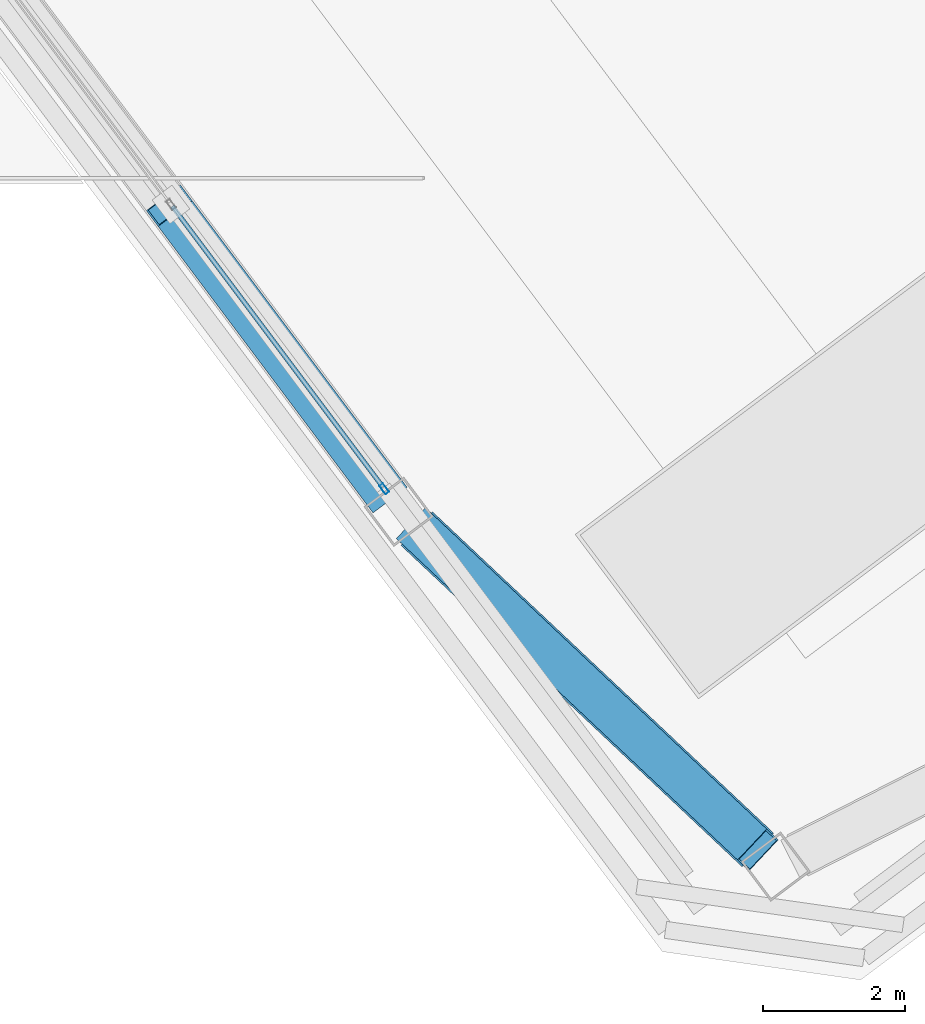
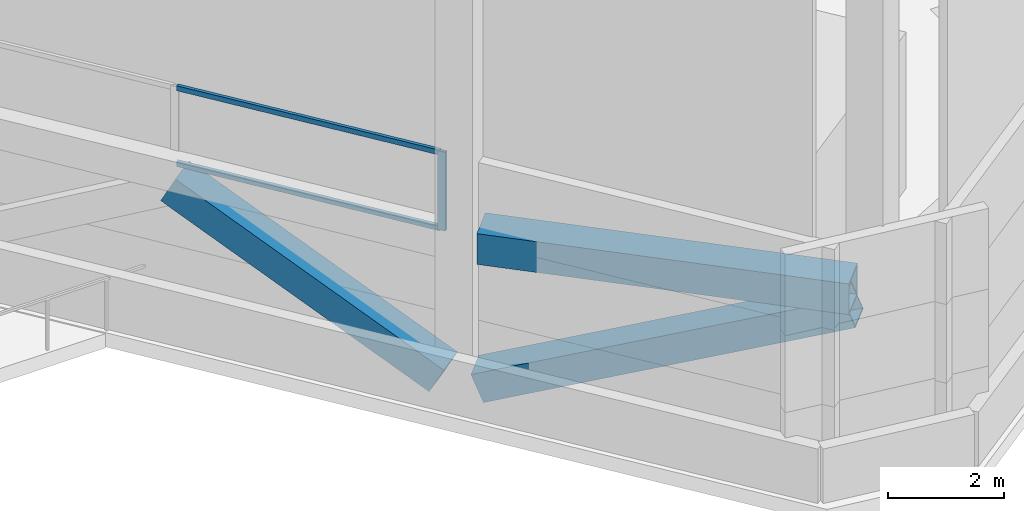
# One storey, part 16 of 37: 5 members, 1 beam, 1 element without a shape of its own.
"""IFC4 building model written with IfcOpenShell, lengths in metres."""

import ifcopenshell
import ifcopenshell.guid

model = None  # the IFC model being written
_history = None  # IfcOwnerHistory: only IFC2X3 demands one
_inside = {}  # id of a spatial element -> (the spatial element, [elements in it])
_under = {}  # id of a project, library or spatial element -> (it, [spatial elements below it])
_declared = {}  # id of a project -> (the project, [libraries it declares])
_typed = {}  # id of a type object -> (the type object, [elements of that type])
_made_of = {}  # id of a material, layer set ... -> (it, [elements and type objects made of it])


def new_model(schema):
    """Start an empty IFC model of exactly this schema.

    Asked for "IFC4X3", IfcOpenShell would pick the latest addendum, in which some entities
    have other attributes; the version numbers below select the first issue.
    IFC2X3 requires an IfcOwnerHistory on every rooted entity: one is made here for all.
    """
    global model, _history
    if schema == "IFC4X3":
        model = ifcopenshell.file(schema_version=(4, 3, 0, 0))
    else:
        model = ifcopenshell.file(schema=schema)
    _inside.clear()
    _under.clear()
    _declared.clear()
    _typed.clear()
    _made_of.clear()
    _history = None
    if model.schema == "IFC2X3":
        org = make("IfcOrganization", Name="unknown")
        user = make(
            "IfcPersonAndOrganization",
            ThePerson=make("IfcPerson", FamilyName="unknown"),
            TheOrganization=org,
        )
        app = make(
            "IfcApplication",
            ApplicationDeveloper=org,
            Version="unknown",
            ApplicationFullName="unknown",
            ApplicationIdentifier="unknown",
        )
        _history = make(
            "IfcOwnerHistory",
            OwningUser=user,
            OwningApplication=app,
            ChangeAction="ADDED",
            CreationDate=0,
        )
    return model


def make(cls, **values):
    """One entity of the class cls with the attributes given. An attribute that is None is left unset."""
    return model.create_entity(
        cls, **{name: value for name, value in values.items() if value is not None}
    )


def rooted(cls, **values):
    """An entity with a GlobalId (a new one), such as an element, a storey or a relation."""
    return make(cls, GlobalId=ifcopenshell.guid.new(), OwnerHistory=_history, **values)


def si_unit(unit_type, name, prefix=None):
    """IfcSIUnit, for example si_unit("LENGTHUNIT", "METRE", prefix="MILLI")."""
    return make("IfcSIUnit", UnitType=unit_type, Prefix=prefix, Name=name)


def assignment(units):
    """IfcUnitAssignment: the units of a project."""
    return None if units is None else make("IfcUnitAssignment", Units=units)


def point(xyz):
    """IfcCartesianPoint."""
    return None if xyz is None else make("IfcCartesianPoint", Coordinates=xyz)


def direction(xyz):
    """IfcDirection."""
    return None if xyz is None else make("IfcDirection", DirectionRatios=xyz)


def frame(location, z_axis=None, x_axis=None):
    """IfcAxis2Placement3D, a coordinate frame: its origin and axes. An axis left out is left unset."""
    return make(
        "IfcAxis2Placement3D",
        Location=point(location),
        Axis=direction(z_axis),
        RefDirection=direction(x_axis),
    )


def frame_2d(location, x_axis=None):
    """IfcAxis2Placement2D, a coordinate frame in the plane: its origin and x axis."""
    return make(
        "IfcAxis2Placement2D", Location=point(location), RefDirection=direction(x_axis)
    )


def origin():
    """The frame at (0, 0, 0) with its axes left unset."""
    return frame((0.0, 0.0, 0.0))


def origin_2d():
    """The frame at (0, 0) in the plane with its x axis left unset."""
    return frame_2d((0.0, 0.0))


def place(relative_to, where):
    """IfcLocalPlacement: puts the frame where relative to a parent placement (None: the world)."""
    return make(
        "IfcLocalPlacement", PlacementRelTo=relative_to, RelativePlacement=where
    )


def context(
    kind, dimensions, precision=None, world=None, true_north=None, identifier=None
):
    """IfcGeometricRepresentationContext, for example the 3D "Model" context."""
    return make(
        "IfcGeometricRepresentationContext",
        ContextIdentifier=identifier,
        ContextType=kind,
        CoordinateSpaceDimension=dimensions,
        Precision=precision,
        WorldCoordinateSystem=world,
        TrueNorth=true_north,
    )


def subcontext(parent, identifier, kind, view, scale=None):
    """IfcGeometricRepresentationSubContext, for example "Body" below "Model"."""
    return make(
        "IfcGeometricRepresentationSubContext",
        ContextIdentifier=identifier,
        ContextType=kind,
        ParentContext=parent,
        TargetScale=scale,
        TargetView=view,
    )


def project(units=None, contexts=None):
    """IfcProject with its units and contexts."""
    return rooted(
        "IfcProject",
        Name="project",
        RepresentationContexts=contexts,
        UnitsInContext=assignment(units),
    )


def spatial(cls, under=None, at=None, **own):
    """A site, building, storey or space (cls), placed at a placement, below another one or the project."""
    s = rooted(cls, ObjectPlacement=at, **own)
    if under is not None:
        _under.setdefault(under.id(), (under, []))[1].append(s)
    return s


def profile(cls, at=None, kind="AREA", **sizes):
    """A parametric profile (cls). Its sizes go by their IFC names, for example OverallWidth=200.0."""
    return make(cls, ProfileType=kind, Position=at, **sizes)


def hollow_rectangle(**sizes):
    """IfcRectangleHollowProfileDef."""
    return profile("IfcRectangleHollowProfileDef", **sizes)


def extrude(swept, where, along, depth):
    """IfcExtrudedAreaSolid: the profile swept, set in the frame where, extruded along a direction by depth."""
    return make(
        "IfcExtrudedAreaSolid",
        SweptArea=swept,
        Position=where,
        ExtrudedDirection=direction(along),
        Depth=depth,
    )


def shape(context_of_items, identifier, shape_type, items):
    """IfcShapeRepresentation: the items that make up one representation, for example the "Body"."""
    return make(
        "IfcShapeRepresentation",
        ContextOfItems=context_of_items,
        RepresentationIdentifier=identifier,
        RepresentationType=shape_type,
        Items=items,
    )


def material(Name=None, Category=None):
    """IfcMaterial."""
    return make("IfcMaterial", Name=Name, Category=Category)


def material_profile(
    of_material, cross_section, Name=None, Category=None, Priority=None
):
    """IfcMaterialProfile: a cross section and its material."""
    return make(
        "IfcMaterialProfile",
        Name=Name,
        Material=of_material,
        Profile=cross_section,
        Priority=Priority,
        Category=Category,
    )


def profile_set(profiles, Name=None, composite=None):
    """IfcMaterialProfileSet."""
    return make(
        "IfcMaterialProfileSet",
        Name=Name,
        MaterialProfiles=profiles,
        CompositeProfile=composite,
    )


def made_of(thing, what):
    """Note that an element or type object is made of a material, layer set ...; save() writes the relation."""
    if what is not None:
        _made_of.setdefault(what.id(), (what, []))[1].append(thing)
    return thing


def type_object(cls, material=None, **own):
    """A type object (cls), such as IfcWallType, which elements share."""
    return made_of(rooted(cls, **own), material)


def element(
    cls,
    number,
    at=None,
    inside=None,
    cuts=None,
    type_object=None,
    material=None,
    context=None,
    identifier="Body",
    shape_type=None,
    held_by="IfcProductDefinitionShape",
    body=None,
    shapes=None,
    **own,
):
    """One element of the class cls, such as IfcWall. Its Tag is "e" and its number.

    at: its placement. inside: the storey or other place that contains it. cuts: it is an
    opening in that element (IfcRelVoidsElement). A single representation is given by context,
    identifier, shape_type and body (its items); several are given by shapes. held_by: the class
    of the entity that holds the representations. save() writes the other relations.
    """
    e = rooted(cls, Tag="e%d" % number, ObjectPlacement=at, **own)
    if body is not None:
        shapes = [shape(context, identifier, shape_type, body)]
    if shapes is not None:
        e.Representation = make(held_by, Representations=shapes)
    if inside is not None:
        _inside.setdefault(inside.id(), (inside, []))[1].append(e)
    if cuts is not None:
        rooted(
            "IfcRelVoidsElement", RelatingBuildingElement=cuts, RelatedOpeningElement=e
        )
    if type_object is not None:
        _typed.setdefault(type_object.id(), (type_object, []))[1].append(e)
    return made_of(e, material)


def aggregate(whole, parts):
    """IfcRelAggregates: a whole, such as a stair, and the parts it consists of."""
    return rooted("IfcRelAggregates", RelatingObject=whole, RelatedObjects=parts)


def save(model, path):
    """Write the relations noted so far, then the file.

    IfcRelAggregates (storeys below a building ...), IfcRelContainedInSpatialStructure (elements
    in a storey), IfcRelDefinesByType, IfcRelAssociatesMaterial and IfcRelDeclares: one each for
    every whole, place, type object, material and project.
    """
    for whole, parts in _under.values():
        aggregate(whole, parts)
    for where, things in _inside.values():
        rooted(
            "IfcRelContainedInSpatialStructure",
            RelatedElements=things,
            RelatingStructure=where,
        )
    for kind, things in _typed.values():
        rooted("IfcRelDefinesByType", RelatedObjects=things, RelatingType=kind)
    for what, things in _made_of.values():
        rooted("IfcRelAssociatesMaterial", RelatedObjects=things, RelatingMaterial=what)
    for by, libraries in _declared.values():
        rooted("IfcRelDeclares", RelatingContext=by, RelatedDefinitions=libraries)
    model.write(path)


model = new_model("IFC4")

# Units and contexts
model_context = context("Model", 3, precision=1e-05, world=origin(), true_north=direction((0.0, 1.0)))
body_context = subcontext(model_context, "Body", "Model", "MODEL_VIEW")
ifc_project = project(units=[si_unit("LENGTHUNIT", "METRE"), si_unit("AREAUNIT", "SQUARE_METRE"), si_unit("VOLUMEUNIT", "CUBIC_METRE"), si_unit("PLANEANGLEUNIT", "RADIAN"), si_unit("MASSUNIT", "GRAM", prefix="KILO")], contexts=[model_context])

# Site, building, storey
site_placement = place(None, origin())
site = spatial("IfcSite", under=ifc_project, at=site_placement, CompositionType="ELEMENT")
building_placement = place(site_placement, origin())
building = spatial("IfcBuilding", under=site, at=building_placement, Name="Tashvorn Skyway Center", CompositionType="ELEMENT")
storey_placement = place(building_placement, frame((0.0, 0.0, 263.39990234375)))
storey = spatial("IfcBuildingStorey", under=building, at=storey_placement, Name="L71", CompositionType="ELEMENT", Elevation=263.39990234375)

# Beam
ifc_material_1 = material(Name="Steel ASTM A572 Grade 50", Category="steel")
ifc_material_profile_1 = material_profile(ifc_material_1, hollow_rectangle(XDim=0.64990234375, YDim=0.64990234375, WallThickness=0.02490234375, at=origin_2d()), Name="BOX650x650x25")
ifc_profile_set_1 = profile_set([ifc_material_profile_1], Name="Steel ASTM A572 Grade 50")
beam_type = type_object("IfcBeamType", Name="BM-BEAM-BOX650x650x25", PredefinedType="BEAM", material=ifc_profile_set_1)
beam_placement = place(storey_placement, frame((106.4111328125, 19.133544921875, 3.316650390625), z_axis=(0.727983344677, -0.685594814649, 0.0), x_axis=(0.685594814649, 0.727983344677, 0.0)))
element("IfcBeam", 1, at=beam_placement, inside=storey, type_object=beam_type, Name="CROWN FRAME Tower 2 Lower-Tier Ring Beam 12", PredefinedType="BEAM", context=body_context, shape_type="SweptSolid", body=[
    extrude(hollow_rectangle(XDim=0.64990234375, YDim=0.64990234375, WallThickness=0.02490234375, at=origin_2d()), origin(), (0.0, 0.0, 1.0), 6.61767578125),
])

# Curtain wall, members
ifc_material_2 = material(Name="Thermally broken bronze-anodized aluminium 6063-T6", Category="aluminium")
curtain_wall_type = type_object("IfcCurtainWallType", Name="CW-CW-SKY", PredefinedType="NOTDEFINED", material=ifc_material_2)
curtain_wall_placement = place(storey_placement, origin())
curtain_wall = element("IfcCurtainWall", 2, at=curtain_wall_placement, inside=storey, type_object=curtain_wall_type, Name="CROWN Lantern Fritted Curtain Wall T2 W-3", PredefinedType="NOTDEFINED")
ifc_material_profile_2 = material_profile(ifc_material_2, hollow_rectangle(XDim=0.06494140625, YDim=0.14990234375, WallThickness=0.00390625, at=origin_2d()), Name="ALU-MULL-65x150")
ifc_profile_set_2 = profile_set([ifc_material_profile_2], Name="Thermally broken bronze-anodized aluminium 6063-T6")
member_type_1 = type_object("IfcMemberType", Name="CWM-CW-SKY", PredefinedType="MULLION", material=ifc_profile_set_2)
member_1_placement = place(storey_placement, frame((105.95458984375, 19.694091796875, 3.330078125), z_axis=(0.0, 0.0, 1.0), x_axis=(-0.799999999998, -0.600000000002, 0.0)))
member_1 = element("IfcMember", 3, at=member_1_placement, type_object=member_type_1, Name="CW-SKY mullion 1", PredefinedType="MULLION", context=body_context, shape_type="SweptSolid", body=[
    extrude(hollow_rectangle(XDim=0.06494140625, YDim=0.14990234375, WallThickness=0.00390625, at=origin_2d()), origin(), (0.0, 0.0, 1.0), 1.6650390625),
])
ifc_material_profile_3 = material_profile(ifc_material_2, hollow_rectangle(XDim=0.06494140625, YDim=0.10498046875, WallThickness=0.00390625, at=origin_2d()), Name="ALU-TRAN-65x105")
ifc_profile_set_3 = profile_set([ifc_material_profile_3], Name="Thermally broken bronze-anodized aluminium 6063-T6")
member_type_2 = type_object("IfcMemberType", Name="CWT-CW-SKY", PredefinedType="USERDEFINED", material=ifc_profile_set_3)
member_2_placement = place(storey_placement, frame((105.93505859375, 19.719970703125, 3.362548828125), z_axis=(-0.600031549007, 0.799976337273, 0.0), x_axis=(-0.799976337273, -0.600031549007, 0.0)))
member_2 = element("IfcMember", 4, at=member_2_placement, type_object=member_type_2, Name="CW-SKY transom 1.1", ObjectType="TRANSOM", PredefinedType="USERDEFINED", context=body_context, shape_type="SweptSolid", body=[
    extrude(hollow_rectangle(XDim=0.06494140625, YDim=0.10498046875, WallThickness=0.00390625, at=origin_2d()), origin(), (0.0, 0.0, 1.0), 4.95263671875),
])
member_3_placement = place(storey_placement, frame((105.93505859375, 19.719970703125, 4.962646484375), z_axis=(-0.600031549007, 0.799976337273, 0.0), x_axis=(-0.799976337273, -0.600031549007, 0.0)))
member_3 = element("IfcMember", 5, at=member_3_placement, type_object=member_type_2, Name="CW-SKY transom 1.2", ObjectType="TRANSOM", PredefinedType="USERDEFINED", context=body_context, shape_type="SweptSolid", body=[
    extrude(hollow_rectangle(XDim=0.06494140625, YDim=0.10498046875, WallThickness=0.00390625, at=origin_2d()), origin(), (0.0, 0.0, 1.0), 4.95263671875),
])
aggregate(curtain_wall, [member_1, member_2, member_3])

# Members
ifc_material_profile_4 = material_profile(ifc_material_1, hollow_rectangle(XDim=0.60009765625, YDim=0.60009765625, WallThickness=0.02490234375, at=origin_2d()), Name="BOX600x600x25")
ifc_profile_set_4 = profile_set([ifc_material_profile_4], Name="Steel ASTM A572 Grade 50")
member_type_3 = type_object("IfcMemberType", Name="MEM-CF-BRC-600", PredefinedType="BRACE", material=ifc_profile_set_4)
member_4_placement = place(storey_placement, frame((105.952880859375, 19.64599609375, 0.35009765625), z_axis=(-0.531546147001, 0.708728196001, 0.463856699641), x_axis=(-0.8, -0.6, 0.0)))
element("IfcMember", 6, at=member_4_placement, inside=storey, type_object=member_type_3, Name="CROWN FRAME Tower 2 Tier-1 Chevron Brace 11B", PredefinedType="BRACE", context=body_context, shape_type="SweptSolid", body=[
    extrude(hollow_rectangle(XDim=0.60009765625, YDim=0.60009765625, WallThickness=0.02490234375, at=origin_2d()), origin(), (0.0, 0.0, 1.0), 5.705810546875),
])
member_5_placement = place(storey_placement, frame((106.4111328125, 19.133544921875, 0.35009765625), z_axis=(0.675928943444, -0.636571402471, 0.37134473602), x_axis=(0.685594814649, 0.727983344677, 0.0)))
element("IfcMember", 7, at=member_5_placement, inside=storey, type_object=member_type_3, Name="CROWN FRAME Tower 2 Lower Portal Brace 12", PredefinedType="BRACE", context=body_context, shape_type="SweptSolid", body=[
    extrude(hollow_rectangle(XDim=0.60009765625, YDim=0.60009765625, WallThickness=0.02490234375, at=origin_2d()), origin(), (0.0, 0.0, 1.0), 7.12744140625),
])

save(model, "model.ifc")
